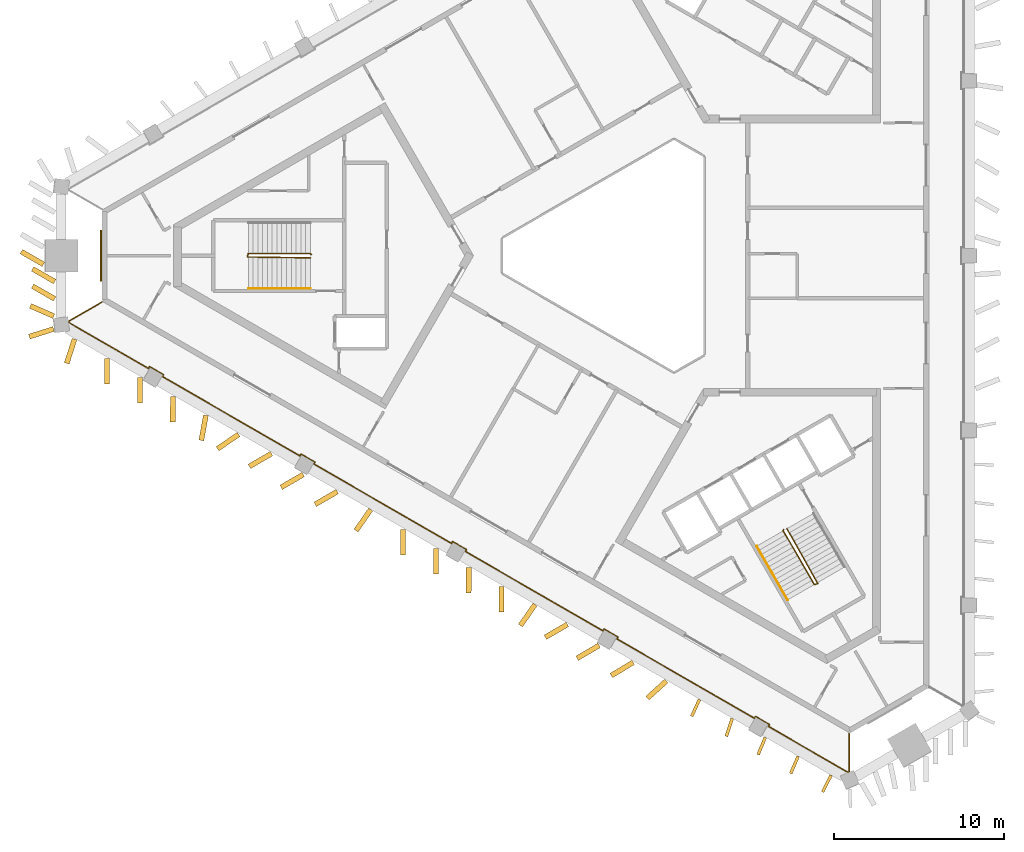
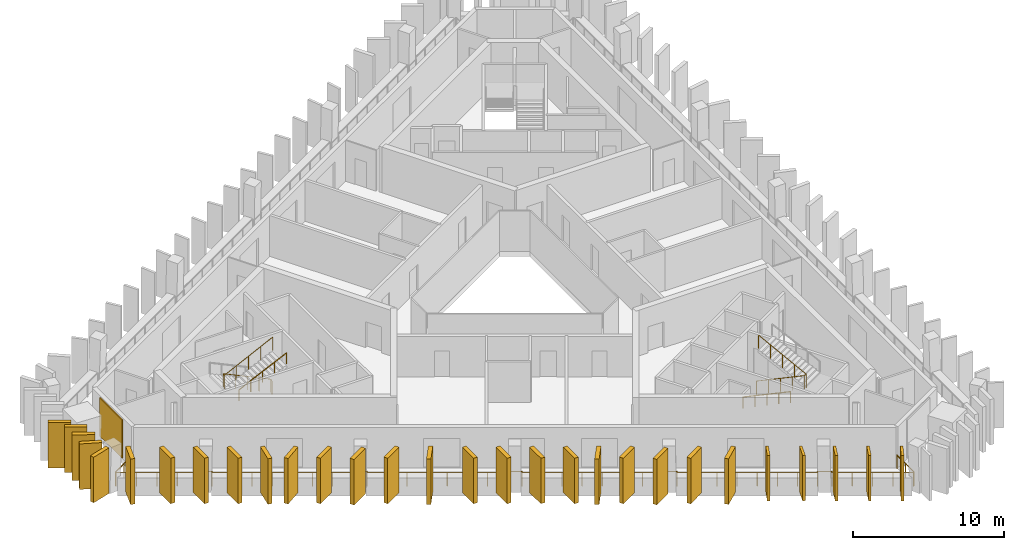
# One storey, part 7 of 9: 29 shading devices, 5 railings, 1 covering.
"""IFC4 building model written with IfcOpenShell, lengths in metres."""

from ifc_helpers import new_model, si_unit, direction, frame, frame_2d, origin, origin_2d, place, context, subcontext, project, spatial, rectangle, circle, extrude, material, layer, layer_set, type_object, element, save


model = new_model("IFC4")

# Units and contexts
model_context = context("Model", 3, precision=1e-05, world=origin(), true_north=direction((0.0, 1.0)))
body_context = subcontext(model_context, "Body", "Model", "MODEL_VIEW")
ifc_project = project(units=[si_unit("LENGTHUNIT", "METRE"), si_unit("AREAUNIT", "SQUARE_METRE"), si_unit("VOLUMEUNIT", "CUBIC_METRE"), si_unit("PLANEANGLEUNIT", "RADIAN"), si_unit("MASSUNIT", "GRAM", prefix="KILO")], contexts=[model_context])

# Site, building, storey
site_placement = place(None, origin())
site = spatial("IfcSite", under=ifc_project, at=site_placement, CompositionType="ELEMENT")
building_placement = place(site_placement, origin())
building = spatial("IfcBuilding", under=site, at=building_placement, Name="Jabali Bay Hotel Tower and Convention Centre", CompositionType="ELEMENT")
storey_placement = place(building_placement, frame((0.0, 0.0, 224.300048828125)))
storey = spatial("IfcBuildingStorey", under=building, at=storey_placement, Name="L55", CompositionType="ELEMENT", Elevation=224.300048828125)

# Railing
ifc_material_1 = material(Name="Glass", Category="glass")
railing_type_1 = type_object("IfcRailingType", Name="Loggia glass guard 1100", PredefinedType="BALUSTRADE", material=ifc_material_1)
railing_1_placement = place(storey_placement, frame((88.049072265625, 51.938720703125, 0.0)))
element("IfcRailing", 1, at=railing_1_placement, inside=storey, type_object=railing_type_1, Name="Loggia glass guard L55", PredefinedType="BALUSTRADE", context=body_context, shape_type="SweptSolid", body=[
    extrude(circle(Radius=0.02490234375, at=origin_2d()), frame((0.0, 0.0, 1.0751953125), z_axis=(0.0, -1.0, 0.0), x_axis=(0.991444861374, 0.0, 0.13052619222)), (0.0, 0.0, 1.0), 2.24755859375),
    extrude(circle(Radius=0.02490234375, at=origin_2d()), frame((0.0, -2.24755859375, 1.0751953125), z_axis=(-0.921017487124, -0.389521229732, 0.0), x_axis=(0.386188821614, -0.913138054844, 0.13052619222)), (0.0, 0.0, 1.0), 0.067138671875),
    extrude(circle(Radius=0.02490234375, at=origin_2d()), frame((-0.061767578125, -2.273681640625, 1.0751953125), z_axis=(-0.866029850603, 0.499992297805, 0.0), x_axis=(-0.495714794385, -0.858620845177, 0.13052619222)), (0.0, 0.0, 1.0), 5.40380859375),
    extrude(circle(Radius=0.02490234375, at=origin_2d()), frame((-4.74169921875, 0.42822265625, 1.0751953125), z_axis=(0.500342721131, 0.865827443207, 0.0), x_axis=(-0.858420169404, 0.496062219791, 0.13052619222)), (0.0, 0.0, 1.0), 0.125),
    extrude(circle(Radius=0.02490234375, at=origin_2d()), frame((-4.67919921875, 0.536376953125, 1.0751953125), z_axis=(-0.865988727248, 0.500063520245, 0.0), x_axis=(-0.495785407507, -0.858580073638, 0.13052619222)), (0.0, 0.0, 1.0), 0.9501953125),
    extrude(circle(Radius=0.02490234375, at=origin_2d()), frame((-5.501953125, 1.011474609375, 1.0751953125), z_axis=(-0.500342721131, -0.865827443207, 0.0), x_axis=(0.858420169404, -0.496062219791, 0.13052619222)), (0.0, 0.0, 1.0), 0.125),
    extrude(circle(Radius=0.02490234375, at=origin_2d()), frame((-5.564453125, 0.9033203125, 1.0751953125), z_axis=(-0.866027201435, 0.499996886364, 0.0), x_axis=(-0.495719343689, -0.858618218673, 0.13052619222)), (0.0, 0.0, 1.0), 9.31787109375),
    extrude(circle(Radius=0.02490234375, at=origin_2d()), frame((-13.634033203125, 5.562255859375, 1.0751953125), z_axis=(0.500342721131, 0.865827443207, 0.0), x_axis=(-0.858420169404, 0.496062219791, 0.13052619222)), (0.0, 0.0, 1.0), 0.125),
    extrude(circle(Radius=0.02490234375, at=origin_2d()), frame((-13.571533203125, 5.67041015625, 1.0751953125), z_axis=(-0.865988727248, 0.500063520245, 0.0), x_axis=(-0.495785407507, -0.858580073638, 0.13052619222)), (0.0, 0.0, 1.0), 0.9501953125),
    extrude(circle(Radius=0.02490234375, at=origin_2d()), frame((-14.394287109375, 6.1455078125, 1.0751953125), z_axis=(-0.499497219344, -0.8663154898, 0.0), x_axis=(0.858904040691, -0.495223951389, 0.13052619222)), (0.0, 0.0, 1.0), 0.125244140625),
    extrude(circle(Radius=0.02490234375, at=origin_2d()), frame((-14.456787109375, 6.037109375, 1.0751953125), z_axis=(-0.866027201435, 0.499996886364, 0.0), x_axis=(-0.495719343689, -0.858618218673, 0.13052619222)), (0.0, 0.0, 1.0), 9.31787109375),
    extrude(circle(Radius=0.02490234375, at=origin_2d()), frame((-22.5263671875, 10.696044921875, 1.0751953125), z_axis=(0.499497219344, 0.8663154898, 0.0), x_axis=(-0.858904040691, 0.495223951389, 0.13052619222)), (0.0, 0.0, 1.0), 0.125244140625),
    extrude(circle(Radius=0.02490234375, at=origin_2d()), frame((-22.4638671875, 10.804443359375, 1.0751953125), z_axis=(-0.866100000774, 0.49987077196, 0.0), x_axis=(-0.495594308211, -0.858690395203, 0.13052619222)), (0.0, 0.0, 1.0), 0.949951171875),
    extrude(circle(Radius=0.02490234375, at=origin_2d()), frame((-23.28662109375, 11.279296875, 1.0751953125), z_axis=(-0.500342721131, -0.865827443207, 0.0), x_axis=(0.858420169404, -0.496062219791, 0.13052619222)), (0.0, 0.0, 1.0), 0.125),
    extrude(circle(Radius=0.02490234375, at=origin_2d()), frame((-23.34912109375, 11.171142578125, 1.0751953125), z_axis=(-0.866027201435, 0.499996886364, 0.0), x_axis=(-0.495719343689, -0.858618218673, 0.13052619222)), (0.0, 0.0, 1.0), 9.31787109375),
    extrude(circle(Radius=0.02490234375, at=origin_2d()), frame((-31.418701171875, 15.830078125, 1.0751953125), z_axis=(0.500342721131, 0.865827443207, 0.0), x_axis=(-0.858420169404, 0.496062219791, 0.13052619222)), (0.0, 0.0, 1.0), 0.125),
    extrude(circle(Radius=0.02490234375, at=origin_2d()), frame((-31.356201171875, 15.938232421875, 1.0751953125), z_axis=(-0.865988727248, 0.500063520245, 0.0), x_axis=(-0.495785407507, -0.858580073638, 0.13052619222)), (0.0, 0.0, 1.0), 0.9501953125),
    extrude(circle(Radius=0.02490234375, at=origin_2d()), frame((-32.178955078125, 16.413330078125, 1.0751953125), z_axis=(-0.500342721131, -0.865827443207, 0.0), x_axis=(0.858420169404, -0.496062219791, 0.13052619222)), (0.0, 0.0, 1.0), 0.125),
    extrude(circle(Radius=0.02490234375, at=origin_2d()), frame((-32.241455078125, 16.30517578125, 1.0751953125), z_axis=(-0.866020651002, 0.50000823197, 0.0), x_axis=(-0.495730592231, -0.85861172428, 0.13052619222)), (0.0, 0.0, 1.0), 9.317626953125),
    extrude(circle(Radius=0.02490234375, at=origin_2d()), frame((-40.310791015625, 20.964111328125, 1.0751953125), z_axis=(0.500342721131, 0.865827443207, 0.0), x_axis=(-0.858420169404, 0.496062219791, 0.13052619222)), (0.0, 0.0, 1.0), 0.125),
    extrude(circle(Radius=0.02490234375, at=origin_2d()), frame((-40.248291015625, 21.072265625, 1.0751953125), z_axis=(-0.865988727248, 0.500063520245, 0.0), x_axis=(-0.495785407507, -0.858580073638, 0.13052619222)), (0.0, 0.0, 1.0), 0.9501953125),
    extrude(circle(Radius=0.02490234375, at=origin_2d()), frame((-41.071044921875, 21.54736328125, 1.0751953125), z_axis=(-0.499497219344, -0.8663154898, 0.0), x_axis=(0.858904040691, -0.495223951389, 0.13052619222)), (0.0, 0.0, 1.0), 0.125244140625),
    extrude(circle(Radius=0.02490234375, at=origin_2d()), frame((-41.133544921875, 21.43896484375, 1.0751953125), z_axis=(-0.866021582578, 0.500006618465, 0.0), x_axis=(-0.49572899253, -0.858612647886, 0.13052619222)), (0.0, 0.0, 1.0), 5.404296875),
    extrude(circle(Radius=0.02490234375, at=origin_2d()), frame((-45.813720703125, 24.14111328125, 1.0751953125), z_axis=(-0.120005554105, 0.99277322032, 0.0), x_axis=(-0.984279907796, -0.118978889953, 0.13052619222)), (0.0, 0.0, 1.0), 0.067138671875),
    extrude(circle(Radius=0.02490234375, at=origin_2d()), frame((-45.82177734375, 24.207763671875, 1.0751953125), z_axis=(0.866055336752, 0.499948150995, 0.0), x_axis=(-0.495671025257, 0.858646113288, 0.13052619222)), (0.0, 0.0, 1.0), 2.247314453125),
    extrude(circle(Radius=0.02001953125, at=origin_2d()), origin(), (0.0, 0.0, 1.0), 1.050048828125),
    extrude(circle(Radius=0.02001953125, at=origin_2d()), frame((0.0, -1.123779296875, 0.0)), (0.0, 0.0, 1.0), 1.050048828125),
    extrude(circle(Radius=0.02001953125, at=origin_2d()), frame((0.0, -2.24755859375, 0.0)), (0.0, 0.0, 1.0), 1.050048828125),
    extrude(circle(Radius=0.02001953125, at=origin_2d()), frame((-0.061767578125, -2.273681640625, 0.0)), (0.0, 0.0, 1.0), 1.050048828125),
    extrude(circle(Radius=0.02001953125, at=origin_2d()), frame((-1.231689453125, -1.59814453125, 0.0)), (0.0, 0.0, 1.0), 1.050048828125),
    extrude(circle(Radius=0.02001953125, at=origin_2d()), frame((-2.40185546875, -0.9228515625, 0.0)), (0.0, 0.0, 1.0), 1.050048828125),
    extrude(circle(Radius=0.02001953125, at=origin_2d()), frame((-3.57177734375, -0.247314453125, 0.0)), (0.0, 0.0, 1.0), 1.050048828125),
    extrude(circle(Radius=0.02001953125, at=origin_2d()), frame((-4.74169921875, 0.42822265625, 0.0)), (0.0, 0.0, 1.0), 1.050048828125),
    extrude(circle(Radius=0.02001953125, at=origin_2d()), frame((-4.67919921875, 0.536376953125, 0.0)), (0.0, 0.0, 1.0), 1.050048828125),
    extrude(circle(Radius=0.02001953125, at=origin_2d()), frame((-5.501953125, 1.011474609375, 0.0)), (0.0, 0.0, 1.0), 1.050048828125),
    extrude(circle(Radius=0.02001953125, at=origin_2d()), frame((-5.564453125, 0.9033203125, 0.0)), (0.0, 0.0, 1.0), 1.050048828125),
    extrude(circle(Radius=0.02001953125, at=origin_2d()), frame((-6.71728515625, 1.56884765625, 0.0)), (0.0, 0.0, 1.0), 1.050048828125),
    extrude(circle(Radius=0.02001953125, at=origin_2d()), frame((-7.8701171875, 2.234375, 0.0)), (0.0, 0.0, 1.0), 1.050048828125),
    extrude(circle(Radius=0.02001953125, at=origin_2d()), frame((-9.02294921875, 2.89990234375, 0.0)), (0.0, 0.0, 1.0), 1.050048828125),
    extrude(circle(Radius=0.02001953125, at=origin_2d()), frame((-10.175537109375, 3.565673828125, 0.0)), (0.0, 0.0, 1.0), 1.050048828125),
    extrude(circle(Radius=0.02001953125, at=origin_2d()), frame((-11.328369140625, 4.231201171875, 0.0)), (0.0, 0.0, 1.0), 1.050048828125),
    extrude(circle(Radius=0.02001953125, at=origin_2d()), frame((-12.481201171875, 4.896728515625, 0.0)), (0.0, 0.0, 1.0), 1.050048828125),
    extrude(circle(Radius=0.02001953125, at=origin_2d()), frame((-13.634033203125, 5.562255859375, 0.0)), (0.0, 0.0, 1.0), 1.050048828125),
    extrude(circle(Radius=0.02001953125, at=origin_2d()), frame((-13.571533203125, 5.67041015625, 0.0)), (0.0, 0.0, 1.0), 1.050048828125),
    extrude(circle(Radius=0.02001953125, at=origin_2d()), frame((-14.394287109375, 6.1455078125, 0.0)), (0.0, 0.0, 1.0), 1.050048828125),
    extrude(circle(Radius=0.02001953125, at=origin_2d()), frame((-14.456787109375, 6.037109375, 0.0)), (0.0, 0.0, 1.0), 1.050048828125),
    extrude(circle(Radius=0.02001953125, at=origin_2d()), frame((-15.609619140625, 6.70263671875, 0.0)), (0.0, 0.0, 1.0), 1.050048828125),
    extrude(circle(Radius=0.02001953125, at=origin_2d()), frame((-16.762451171875, 7.3681640625, 0.0)), (0.0, 0.0, 1.0), 1.050048828125),
    extrude(circle(Radius=0.02001953125, at=origin_2d()), frame((-17.915283203125, 8.03369140625, 0.0)), (0.0, 0.0, 1.0), 1.050048828125),
    extrude(circle(Radius=0.02001953125, at=origin_2d()), frame((-19.06787109375, 8.699462890625, 0.0)), (0.0, 0.0, 1.0), 1.050048828125),
    extrude(circle(Radius=0.02001953125, at=origin_2d()), frame((-20.220703125, 9.364990234375, 0.0)), (0.0, 0.0, 1.0), 1.050048828125),
    extrude(circle(Radius=0.02001953125, at=origin_2d()), frame((-21.37353515625, 10.030517578125, 0.0)), (0.0, 0.0, 1.0), 1.050048828125),
    extrude(circle(Radius=0.02001953125, at=origin_2d()), frame((-22.5263671875, 10.696044921875, 0.0)), (0.0, 0.0, 1.0), 1.050048828125),
    extrude(circle(Radius=0.02001953125, at=origin_2d()), frame((-22.4638671875, 10.804443359375, 0.0)), (0.0, 0.0, 1.0), 1.050048828125),
    extrude(circle(Radius=0.02001953125, at=origin_2d()), frame((-23.28662109375, 11.279296875, 0.0)), (0.0, 0.0, 1.0), 1.050048828125),
    extrude(circle(Radius=0.02001953125, at=origin_2d()), frame((-23.34912109375, 11.171142578125, 0.0)), (0.0, 0.0, 1.0), 1.050048828125),
    extrude(circle(Radius=0.02001953125, at=origin_2d()), frame((-24.501953125, 11.836669921875, 0.0)), (0.0, 0.0, 1.0), 1.050048828125),
    extrude(circle(Radius=0.02001953125, at=origin_2d()), frame((-25.65478515625, 12.502197265625, 0.0)), (0.0, 0.0, 1.0), 1.050048828125),
    extrude(circle(Radius=0.02001953125, at=origin_2d()), frame((-26.8076171875, 13.167724609375, 0.0)), (0.0, 0.0, 1.0), 1.050048828125),
    extrude(circle(Radius=0.02001953125, at=origin_2d()), frame((-27.960205078125, 13.83349609375, 0.0)), (0.0, 0.0, 1.0), 1.050048828125),
    extrude(circle(Radius=0.02001953125, at=origin_2d()), frame((-29.113037109375, 14.4990234375, 0.0)), (0.0, 0.0, 1.0), 1.050048828125),
    extrude(circle(Radius=0.02001953125, at=origin_2d()), frame((-30.265869140625, 15.16455078125, 0.0)), (0.0, 0.0, 1.0), 1.050048828125),
    extrude(circle(Radius=0.02001953125, at=origin_2d()), frame((-31.418701171875, 15.830078125, 0.0)), (0.0, 0.0, 1.0), 1.050048828125),
    extrude(circle(Radius=0.02001953125, at=origin_2d()), frame((-31.356201171875, 15.938232421875, 0.0)), (0.0, 0.0, 1.0), 1.050048828125),
    extrude(circle(Radius=0.02001953125, at=origin_2d()), frame((-32.178955078125, 16.413330078125, 0.0)), (0.0, 0.0, 1.0), 1.050048828125),
    extrude(circle(Radius=0.02001953125, at=origin_2d()), frame((-32.241455078125, 16.30517578125, 0.0)), (0.0, 0.0, 1.0), 1.050048828125),
    extrude(circle(Radius=0.02001953125, at=origin_2d()), frame((-33.394287109375, 16.970703125, 0.0)), (0.0, 0.0, 1.0), 1.050048828125),
    extrude(circle(Radius=0.02001953125, at=origin_2d()), frame((-34.546875, 17.63623046875, 0.0)), (0.0, 0.0, 1.0), 1.050048828125),
    extrude(circle(Radius=0.02001953125, at=origin_2d()), frame((-35.69970703125, 18.3017578125, 0.0)), (0.0, 0.0, 1.0), 1.050048828125),
    extrude(circle(Radius=0.02001953125, at=origin_2d()), frame((-36.8525390625, 18.967529296875, 0.0)), (0.0, 0.0, 1.0), 1.050048828125),
    extrude(circle(Radius=0.02001953125, at=origin_2d()), frame((-38.00537109375, 19.633056640625, 0.0)), (0.0, 0.0, 1.0), 1.050048828125),
    extrude(circle(Radius=0.02001953125, at=origin_2d()), frame((-39.157958984375, 20.298583984375, 0.0)), (0.0, 0.0, 1.0), 1.050048828125),
    extrude(circle(Radius=0.02001953125, at=origin_2d()), frame((-40.310791015625, 20.964111328125, 0.0)), (0.0, 0.0, 1.0), 1.050048828125),
    extrude(circle(Radius=0.02001953125, at=origin_2d()), frame((-40.248291015625, 21.072265625, 0.0)), (0.0, 0.0, 1.0), 1.050048828125),
    extrude(circle(Radius=0.02001953125, at=origin_2d()), frame((-41.071044921875, 21.54736328125, 0.0)), (0.0, 0.0, 1.0), 1.050048828125),
    extrude(circle(Radius=0.02001953125, at=origin_2d()), frame((-41.133544921875, 21.43896484375, 0.0)), (0.0, 0.0, 1.0), 1.050048828125),
    extrude(circle(Radius=0.02001953125, at=origin_2d()), frame((-42.3037109375, 22.114501953125, 0.0)), (0.0, 0.0, 1.0), 1.050048828125),
    extrude(circle(Radius=0.02001953125, at=origin_2d()), frame((-43.4736328125, 22.7900390625, 0.0)), (0.0, 0.0, 1.0), 1.050048828125),
    extrude(circle(Radius=0.02001953125, at=origin_2d()), frame((-44.6435546875, 23.465576171875, 0.0)), (0.0, 0.0, 1.0), 1.050048828125),
    extrude(circle(Radius=0.02001953125, at=origin_2d()), frame((-45.813720703125, 24.14111328125, 0.0)), (0.0, 0.0, 1.0), 1.050048828125),
    extrude(circle(Radius=0.02001953125, at=origin_2d()), frame((-45.82177734375, 24.207763671875, 0.0)), (0.0, 0.0, 1.0), 1.050048828125),
    extrude(circle(Radius=0.02001953125, at=origin_2d()), frame((-44.8486328125, 24.76953125, 0.0)), (0.0, 0.0, 1.0), 1.050048828125),
    extrude(circle(Radius=0.02001953125, at=origin_2d()), frame((-43.87548828125, 25.331298828125, 0.0)), (0.0, 0.0, 1.0), 1.050048828125),
])

# Shading devices
ifc_material_2 = material(Name="Precast concrete C60", Category="concrete")
ifc_layer_1 = layer(ifc_material_2, 0.179931640625)
ifc_layer_set_1 = layer_set([ifc_layer_1], Name="Precast concrete C60")
shading_device_type_1 = type_object("IfcShadingDeviceType", Name="Precast fin 3680 x 1100", PredefinedType="USERDEFINED", material=ifc_layer_set_1)
for number, where, z_axis, x_axis, name in (
    (2, (79.2626953125, 53.95068359375, 0.010009765625), (0.0, 0.0, 1.0), (-0.417945910431, -0.908471912584, 0.0), "Fin L55 083"),
    (3, (81.18798828125, 52.827880859375, 0.010009765625), (0.0, 0.0, 1.0), (-0.316760459746, -0.94850556727, 0.0), "Fin L55 084"),
):
    element("IfcShadingDevice", number, at=place(storey_placement, frame(where, z_axis=z_axis, x_axis=x_axis)), inside=storey, type_object=shading_device_type_1, Name=name, ObjectType="FIN", PredefinedType="USERDEFINED", context=body_context, shape_type="SweptSolid", body=[
        extrude(rectangle(XDim=1.099853515625, YDim=0.179931640625, at=frame_2d((0.5498046875, 0.0))), origin(), (0.0, 0.0, 1.0), 3.679931640625),
    ])
shading_device_1_placement = place(storey_placement, frame((83.12109375, 51.718505859375, 0.010009765625), z_axis=(0.0, 0.0, 1.0), x_axis=(-0.377275738887, -0.926100975514, 0.0)))
element("IfcShadingDevice", 4, at=shading_device_1_placement, inside=storey, type_object=shading_device_type_1, Name="Fin L55 085", ObjectType="FIN", PredefinedType="USERDEFINED", context=body_context, shape_type="SweptSolid", body=[
    extrude(rectangle(XDim=1.10009765625, YDim=0.179931640625, at=frame_2d((0.550048828125, 0.0))), origin(), (0.0, 0.0, 1.0), 3.679931640625),
])
for number, where, z_axis, x_axis, name in (
    (5, (85.05224609375, 50.605712890625, 0.010009765625), (0.0, 0.0, 1.0), (-0.397077917883, -0.91778490243, 0.0), "Fin L55 086"),
    (6, (86.985107421875, 49.49560546875, 0.010009765625), (0.0, 0.0, 1.0), (-0.448367436339, -0.893849339671, 0.0), "Fin L55 087"),
):
    element("IfcShadingDevice", number, at=place(storey_placement, frame(where, z_axis=z_axis, x_axis=x_axis)), inside=storey, type_object=shading_device_type_1, Name=name, ObjectType="FIN", PredefinedType="USERDEFINED", context=body_context, shape_type="SweptSolid", body=[
        extrude(rectangle(XDim=1.099853515625, YDim=0.179931640625, at=frame_2d((0.5498046875, 0.0))), origin(), (0.0, 0.0, 1.0), 3.679931640625),
    ])
ifc_layer_2 = layer(ifc_material_2, 0.300048828125)
ifc_layer_set_2 = layer_set([ifc_layer_2], Name="Precast concrete C60")
shading_device_type_2 = type_object("IfcShadingDeviceType", Name="Precast fin 3680 x 1500", PredefinedType="USERDEFINED", material=ifc_layer_set_2)
for number, where, z_axis, x_axis, name in (
    (7, (40.74951171875, 79.49267578125, 0.010009765625), (0.0, 0.0, 1.0), (-0.867119005422, 0.498101024327, 0.0), "Fin L55 060"),
    (8, (41.412109375, 78.478271484375, 0.010009765625), (0.0, 0.0, 1.0), (-0.867119005422, 0.498101024327, 0.0), "Fin L55 061"),
    (9, (41.412109375, 77.4638671875, 0.010009765625), (0.0, 0.0, 1.0), (-0.867119005422, 0.498101024327, 0.0), "Fin L55 062"),
):
    element("IfcShadingDevice", number, at=place(storey_placement, frame(where, z_axis=z_axis, x_axis=x_axis)), inside=storey, type_object=shading_device_type_2, Name=name, ObjectType="FIN", PredefinedType="USERDEFINED", context=body_context, shape_type="SweptSolid", body=[
        extrude(rectangle(XDim=1.499755859375, YDim=0.300048828125, at=frame_2d((0.75, 0.0))), origin(), (0.0, 0.0, 1.0), 3.679931640625),
    ])
shading_device_2_placement = place(storey_placement, frame((41.360595703125, 76.449462890625, 0.010009765625), z_axis=(0.0, 0.0, 1.0), x_axis=(-0.916138657293, 0.40086152299, 0.0)))
element("IfcShadingDevice", 10, at=shading_device_2_placement, inside=storey, type_object=shading_device_type_2, Name="Fin L55 063", ObjectType="FIN", PredefinedType="USERDEFINED", context=body_context, shape_type="SweptSolid", body=[
    extrude(rectangle(XDim=1.5, YDim=0.300048828125, at=frame_2d((0.75, 0.0))), origin(), (0.0, 0.0, 1.0), 3.679931640625),
])
shading_device_3_placement = place(storey_placement, frame((42.57666015625, 75.1044921875, 0.010009765625), z_axis=(0.0, 0.0, 1.0), x_axis=(-0.305956500188, -0.952045492607, 0.0)))
element("IfcShadingDevice", 11, at=shading_device_3_placement, inside=storey, type_object=shading_device_type_2, Name="Fin L55 064", ObjectType="FIN", PredefinedType="USERDEFINED", context=body_context, shape_type="SweptSolid", body=[
    extrude(rectangle(XDim=1.500244140625, YDim=0.300048828125, at=frame_2d((0.75, 0.0))), origin(), (0.0, 0.0, 1.0), 3.679931640625),
])
for number, where, z_axis, x_axis, name in (
    (12, (44.4853515625, 73.95263671875, 0.010009765625), (0.0, 0.0, 1.0), (-0.00211588068, -0.999997761522, 0.0), "Fin L55 065"),
    (13, (46.415771484375, 72.83837890625, 0.010009765625), (0.0, 0.0, 1.0), (-0.002278639918, -0.999997403897, 0.0), "Fin L55 066"),
    (14, (48.345947265625, 71.723876953125, 0.010009765625), (0.0, 0.0, 1.0), (-0.002278639918, -0.999997403897, 0.0), "Fin L55 067"),
):
    element("IfcShadingDevice", number, at=place(storey_placement, frame(where, z_axis=z_axis, x_axis=x_axis)), inside=storey, type_object=shading_device_type_2, Name=name, ObjectType="FIN", PredefinedType="USERDEFINED", context=body_context, shape_type="SweptSolid", body=[
        extrude(rectangle(XDim=1.5, YDim=0.300048828125, at=frame_2d((0.75, 0.0))), origin(), (0.0, 0.0, 1.0), 3.679931640625),
    ])
shading_device_4_placement = place(storey_placement, frame((50.288330078125, 70.63037109375, 0.010009765625), z_axis=(0.0, 0.0, 1.0), x_axis=(-0.180031266332, -0.983660888286, 0.0)))
element("IfcShadingDevice", 15, at=shading_device_4_placement, inside=storey, type_object=shading_device_type_2, Name="Fin L55 068", ObjectType="FIN", PredefinedType="USERDEFINED", context=body_context, shape_type="SweptSolid", body=[
    extrude(rectangle(XDim=1.499755859375, YDim=0.300048828125, at=frame_2d((0.75, 0.0))), origin(), (0.0, 0.0, 1.0), 3.679931640625),
])
for number, where, z_axis, x_axis, name in (
    (16, (52.210693359375, 69.502685546875, 0.010009765625), (0.0, 0.0, 1.0), (-0.829890643275, -0.557926088478, 0.0), "Fin L55 069"),
    (17, (54.136474609375, 68.380615234375, 0.010009765625), (0.0, 0.0, 1.0), (-0.864898360543, -0.501947034986, 0.0), "Fin L55 070"),
    (18, (56.00048828125, 67.1513671875, 0.010009765625), (0.0, 0.0, 1.0), (-0.864898360543, -0.501947034986, 0.0), "Fin L55 071"),
    (19, (57.9970703125, 66.15185546875, 0.010009765625), (0.0, 0.0, 1.0), (-0.864898360543, -0.501947034986, 0.0), "Fin L55 072"),
):
    element("IfcShadingDevice", number, at=place(storey_placement, frame(where, z_axis=z_axis, x_axis=x_axis)), inside=storey, type_object=shading_device_type_2, Name=name, ObjectType="FIN", PredefinedType="USERDEFINED", context=body_context, shape_type="SweptSolid", body=[
        extrude(rectangle(XDim=1.5, YDim=0.300048828125, at=frame_2d((0.75, 0.0))), origin(), (0.0, 0.0, 1.0), 3.679931640625),
    ])
shading_device_5_placement = place(storey_placement, frame((59.958251953125, 65.0908203125, 0.010009765625), z_axis=(0.0, 0.0, 1.0), x_axis=(-0.572489643346, -0.81991195153, 0.0)))
element("IfcShadingDevice", 20, at=shading_device_5_placement, inside=storey, type_object=shading_device_type_2, Name="Fin L55 073", ObjectType="FIN", PredefinedType="USERDEFINED", context=body_context, shape_type="SweptSolid", body=[
    extrude(rectangle(XDim=1.499755859375, YDim=0.300048828125, at=frame_2d((0.75, 0.0))), origin(), (0.0, 0.0, 1.0), 3.679931640625),
])
for number, where, z_axis, x_axis, name in (
    (21, (61.857421875, 63.9228515625, 0.010009765625), (0.0, 0.0, 1.0), (-0.002278639918, -0.999997403897, 0.0), "Fin L55 074"),
    (22, (63.78759765625, 62.80859375, 0.010009765625), (0.0, 0.0, 1.0), (-0.00211588068, -0.999997761522, 0.0), "Fin L55 075"),
    (23, (65.718017578125, 61.694091796875, 0.010009765625), (0.0, 0.0, 1.0), (-0.002278639918, -0.999997403897, 0.0), "Fin L55 076"),
    (24, (67.648193359375, 60.579833984375, 0.010009765625), (0.0, 0.0, 1.0), (-0.002278639918, -0.999997403897, 0.0), "Fin L55 077"),
    (25, (69.609375, 59.518798828125, 0.010009765625), (0.0, 0.0, 1.0), (-0.572227418395, -0.820094983302, 0.0), "Fin L55 078"),
    (26, (71.508544921875, 58.35107421875, 0.010009765625), (0.0, 0.0, 1.0), (-0.864421649187, -0.502767553067, 0.0), "Fin L55 079"),
    (27, (73.372802734375, 57.1220703125, 0.010009765625), (0.0, 0.0, 1.0), (-0.862986775428, -0.50522650904, 0.0), "Fin L55 080"),
    (28, (75.3701171875, 56.1240234375, 0.010009765625), (0.0, 0.0, 1.0), (-0.856241032515, -0.516576513439, 0.0), "Fin L55 081"),
    (29, (77.31396484375, 55.032958984375, 0.010009765625), (0.0, 0.0, 1.0), (-0.738598240032, -0.674145859456, 0.0), "Fin L55 082"),
    (30, (41.348388671875, 75.69677734375, 0.010009765625), (0.0, 0.0, 1.0), (-0.954210267574, -0.299136699949, 0.0), "Fin L55 100"),
):
    element("IfcShadingDevice", number, at=place(storey_placement, frame(where, z_axis=z_axis, x_axis=x_axis)), inside=storey, type_object=shading_device_type_2, Name=name, ObjectType="FIN", PredefinedType="USERDEFINED", context=body_context, shape_type="SweptSolid", body=[
        extrude(rectangle(XDim=1.5, YDim=0.300048828125, at=frame_2d((0.75, 0.0))), origin(), (0.0, 0.0, 1.0), 3.679931640625),
    ])

# Covering
ifc_material_3 = material(Name="Precast concrete C40/50", Category="concrete")
ifc_layer_3 = layer(ifc_material_3, 0.080078125)
ifc_layer_set_3 = layer_set([ifc_layer_3], Name="Precast concrete C40/50")
covering_type = type_object("IfcCoveringType", Name="Relief panel 3000 x 3100", PredefinedType="CLADDING", material=ifc_layer_set_3)
covering_placement = place(storey_placement, frame((44.1337890625, 80.0, 0.099853515625), z_axis=(0.0, 0.0, 1.0), x_axis=(0.0, 1.0, 0.0)))
element("IfcCovering", 31, at=covering_placement, inside=storey, type_object=covering_type, Name="Relief panel L55", PredefinedType="CLADDING", context=body_context, shape_type="SweptSolid", body=[
    extrude(rectangle(XDim=3.0, YDim=0.080078125, at=origin_2d()), origin(), (0.0, 0.0, 1.0), 3.10009765625),
])

# Railings
ifc_material_4 = material(Name="Steel Q355B", Category="steel")
railing_type_2 = type_object("IfcRailingType", Name="Stair guard 1100", PredefinedType="GUARDRAIL", material=ifc_material_4)
railing_2_placement = place(storey_placement, frame((56.469970703125, 80.074951171875, 0.0)))
element("IfcRailing", 32, at=railing_2_placement, inside=storey, type_object=railing_type_2, Name="L55 ST1 stair guard 1", PredefinedType="GUARDRAIL", context=body_context, shape_type="SweptSolid", body=[
    extrude(circle(Radius=0.02392578125, at=origin_2d()), frame((0.0, 0.0, 1.076171875), z_axis=(-0.333993628408, 0.333993628408, 0.881417331555), x_axis=(-0.707106781187, -0.707106781187, 0.0)), (0.0, 0.0, 1.0), 0.14990234375),
    extrude(circle(Radius=0.02392578125, at=origin_2d()), frame((-0.050048828125, 0.050048828125, 1.2080078125), z_axis=(-0.904350763662, 0.0, 0.426789990819), x_axis=(0.0, -1.0, 0.0)), (0.0, 0.0, 1.0), 4.02490234375),
    extrude(circle(Radius=0.02392578125, at=origin_2d()), frame((-3.68994140625, 0.050048828125, 2.92578125), z_axis=(-0.242814311512, -0.970072785993, 0.0), x_axis=(0.970072785993, -0.242814311512, 0.0)), (0.0, 0.0, 1.0), 0.2060546875),
    extrude(circle(Radius=0.02392578125, at=origin_2d()), frame((-3.739990234375, -0.14990234375, 2.92578125), z_axis=(0.893864111827, -0.012124000458, 0.448174026692), x_axis=(0.013562335953, 0.999908027292, 0.0)), (0.0, 0.0, 1.0), 4.128173828125),
    extrude(circle(Radius=0.02099609375, at=origin_2d()), origin(), (0.0, 0.0, 1.0), 1.052001953125),
    extrude(circle(Radius=0.02099609375, at=origin_2d()), frame((-0.050048828125, 0.050048828125, 0.132080078125)), (0.0, 0.0, 1.0), 1.052001953125),
    extrude(circle(Radius=0.02099609375, at=origin_2d()), frame((-0.9599609375, 0.050048828125, 0.5615234375)), (0.0, 0.0, 1.0), 1.052001953125),
    extrude(circle(Radius=0.02099609375, at=origin_2d()), frame((-1.8701171875, 0.050048828125, 0.990966796875)), (0.0, 0.0, 1.0), 1.052001953125),
    extrude(circle(Radius=0.02099609375, at=origin_2d()), frame((-2.780029296875, 0.050048828125, 1.42041015625)), (0.0, 0.0, 1.0), 1.052001953125),
    extrude(circle(Radius=0.02099609375, at=origin_2d()), frame((-3.68994140625, 0.050048828125, 1.849853515625)), (0.0, 0.0, 1.0), 1.052001953125),
    extrude(circle(Radius=0.02099609375, at=origin_2d()), frame((-3.739990234375, -0.14990234375, 1.849853515625)), (0.0, 0.0, 1.0), 1.052001953125),
    extrude(circle(Radius=0.02099609375, at=origin_2d()), frame((-2.8173828125, -0.162353515625, 2.3125)), (0.0, 0.0, 1.0), 1.052001953125),
    extrude(circle(Radius=0.02099609375, at=origin_2d()), frame((-1.89501953125, -0.1748046875, 2.77490234375)), (0.0, 0.0, 1.0), 1.052001953125),
    extrude(circle(Radius=0.02099609375, at=origin_2d()), frame((-0.97265625, -0.1875, 3.2373046875)), (0.0, 0.0, 1.0), 1.052001953125),
    extrude(circle(Radius=0.02099609375, at=origin_2d()), frame((-0.050048828125, -0.199951171875, 3.699951171875)), (0.0, 0.0, 1.0), 1.052001953125),
])
railing_3_placement = place(storey_placement, frame((84.199951171875, 63.9150390625, 0.0)))
element("IfcRailing", 33, at=railing_3_placement, inside=storey, type_object=railing_type_2, Name="L55 ST3 stair guard 1", PredefinedType="GUARDRAIL", context=body_context, shape_type="SweptSolid", body=[
    extrude(circle(Radius=0.02392578125, at=origin_2d()), frame((0.0, 0.0, 1.076171875), z_axis=(-0.122196845461, -0.456201556387, 0.881446578591), x_axis=(0.965948051503, -0.258736085224, 0.0)), (0.0, 0.0, 1.0), 0.14990234375),
    extrude(circle(Radius=0.02392578125, at=origin_2d()), frame((-0.018310546875, -0.068359375, 1.2080078125), z_axis=(0.452190331055, -0.783190014029, 0.426775475427), x_axis=(0.866018046521, 0.500012742938, 0.0)), (0.0, 0.0, 1.0), 4.02490234375),
    extrude(circle(Radius=0.02392578125, at=origin_2d()), frame((1.8017578125, -3.220703125, 2.92578125), z_axis=(0.96121063429, 0.275815366736, 0.0), x_axis=(-0.275815366736, 0.96121063429, 0.0)), (0.0, 0.0, 1.0), 0.206298828125),
    extrude(circle(Radius=0.02392578125, at=origin_2d()), frame((2.0, -3.163818359375, 2.92578125), z_axis=(-0.436470229993, 0.780146179382, 0.448180406895), x_axis=(-0.872702246529, -0.488252792008, 0.0)), (0.0, 0.0, 1.0), 4.1279296875),
    extrude(circle(Radius=0.02099609375, at=origin_2d()), origin(), (0.0, 0.0, 1.0), 1.052001953125),
    extrude(circle(Radius=0.02099609375, at=origin_2d()), frame((-0.018310546875, -0.068359375, 0.132080078125)), (0.0, 0.0, 1.0), 1.052001953125),
    extrude(circle(Radius=0.02099609375, at=origin_2d()), frame((0.436767578125, -0.8564453125, 0.5615234375)), (0.0, 0.0, 1.0), 1.052001953125),
    extrude(circle(Radius=0.02099609375, at=origin_2d()), frame((0.8916015625, -1.64453125, 0.990966796875)), (0.0, 0.0, 1.0), 1.052001953125),
    extrude(circle(Radius=0.02099609375, at=origin_2d()), frame((1.3466796875, -2.4326171875, 1.42041015625)), (0.0, 0.0, 1.0), 1.052001953125),
    extrude(circle(Radius=0.02099609375, at=origin_2d()), frame((1.8017578125, -3.220703125, 1.849853515625)), (0.0, 0.0, 1.0), 1.052001953125),
    extrude(circle(Radius=0.02099609375, at=origin_2d()), frame((2.0, -3.163818359375, 1.849853515625)), (0.0, 0.0, 1.0), 1.052001953125),
    extrude(circle(Radius=0.02099609375, at=origin_2d()), frame((1.549560546875, -2.358642578125, 2.3125)), (0.0, 0.0, 1.0), 1.052001953125),
    extrude(circle(Radius=0.02099609375, at=origin_2d()), frame((1.09912109375, -1.5537109375, 2.77490234375)), (0.0, 0.0, 1.0), 1.052001953125),
    extrude(circle(Radius=0.02099609375, at=origin_2d()), frame((0.648681640625, -0.74853515625, 3.2373046875)), (0.0, 0.0, 1.0), 1.052001953125),
    extrude(circle(Radius=0.02099609375, at=origin_2d()), frame((0.1982421875, 0.056640625, 3.699951171875)), (0.0, 0.0, 1.0), 1.052001953125),
])
railing_type_3 = type_object("IfcRailingType", Name="Stair handrail 900", PredefinedType="HANDRAIL", material=ifc_material_4)
railing_4_placement = place(storey_placement, frame((52.780029296875, 78.074951171875, 1.982177734375)))
element("IfcRailing", 34, at=railing_4_placement, inside=storey, type_object=railing_type_3, Name="L55 ST1 stair handrail 2", PredefinedType="HANDRAIL", context=body_context, shape_type="SweptSolid", body=[
    extrude(circle(Radius=0.02392578125, at=origin_2d()), frame((0.0, 0.0, 0.8759765625), z_axis=(0.904350763662, 0.0, 0.426789990819), x_axis=(0.0, 1.0, 0.0)), (0.0, 0.0, 1.0), 4.02490234375),
    extrude(circle(Radius=0.02099609375, at=origin_2d()), origin(), (0.0, 0.0, 1.0), 0.851806640625),
    extrude(circle(Radius=0.02099609375, at=origin_2d()), frame((0.909912109375, 0.0, 0.429443359375)), (0.0, 0.0, 1.0), 0.851806640625),
    extrude(circle(Radius=0.02099609375, at=origin_2d()), frame((1.81982421875, 0.0, 0.85888671875)), (0.0, 0.0, 1.0), 0.851806640625),
    extrude(circle(Radius=0.02099609375, at=origin_2d()), frame((2.72998046875, 0.0, 1.288330078125)), (0.0, 0.0, 1.0), 0.851806640625),
    extrude(circle(Radius=0.02099609375, at=origin_2d()), frame((3.639892578125, 0.0, 1.7177734375)), (0.0, 0.0, 1.0), 0.851806640625),
])
railing_5_placement = place(storey_placement, frame((82.622802734375, 62.94677734375, 0.132080078125)))
element("IfcRailing", 35, at=railing_5_placement, inside=storey, type_object=railing_type_3, Name="L55 ST3 stair handrail 1", PredefinedType="HANDRAIL", context=body_context, shape_type="SweptSolid", body=[
    extrude(circle(Radius=0.02392578125, at=origin_2d()), frame((0.0, 0.0, 0.8759765625), z_axis=(0.452190331055, -0.783190014029, 0.426775475427), x_axis=(0.866018046521, 0.500012742938, 0.0)), (0.0, 0.0, 1.0), 4.02490234375),
    extrude(circle(Radius=0.02099609375, at=origin_2d()), origin(), (0.0, 0.0, 1.0), 0.851806640625),
    extrude(circle(Radius=0.02099609375, at=origin_2d()), frame((0.455078125, -0.7880859375, 0.429443359375)), (0.0, 0.0, 1.0), 0.851806640625),
    extrude(circle(Radius=0.02099609375, at=origin_2d()), frame((0.91015625, -1.576171875, 0.85888671875)), (0.0, 0.0, 1.0), 0.851806640625),
    extrude(circle(Radius=0.02099609375, at=origin_2d()), frame((1.364990234375, -2.3642578125, 1.288330078125)), (0.0, 0.0, 1.0), 0.851806640625),
    extrude(circle(Radius=0.02099609375, at=origin_2d()), frame((1.820068359375, -3.15234375, 1.7177734375)), (0.0, 0.0, 1.0), 0.851806640625),
])

save(model, "model.ifc")
